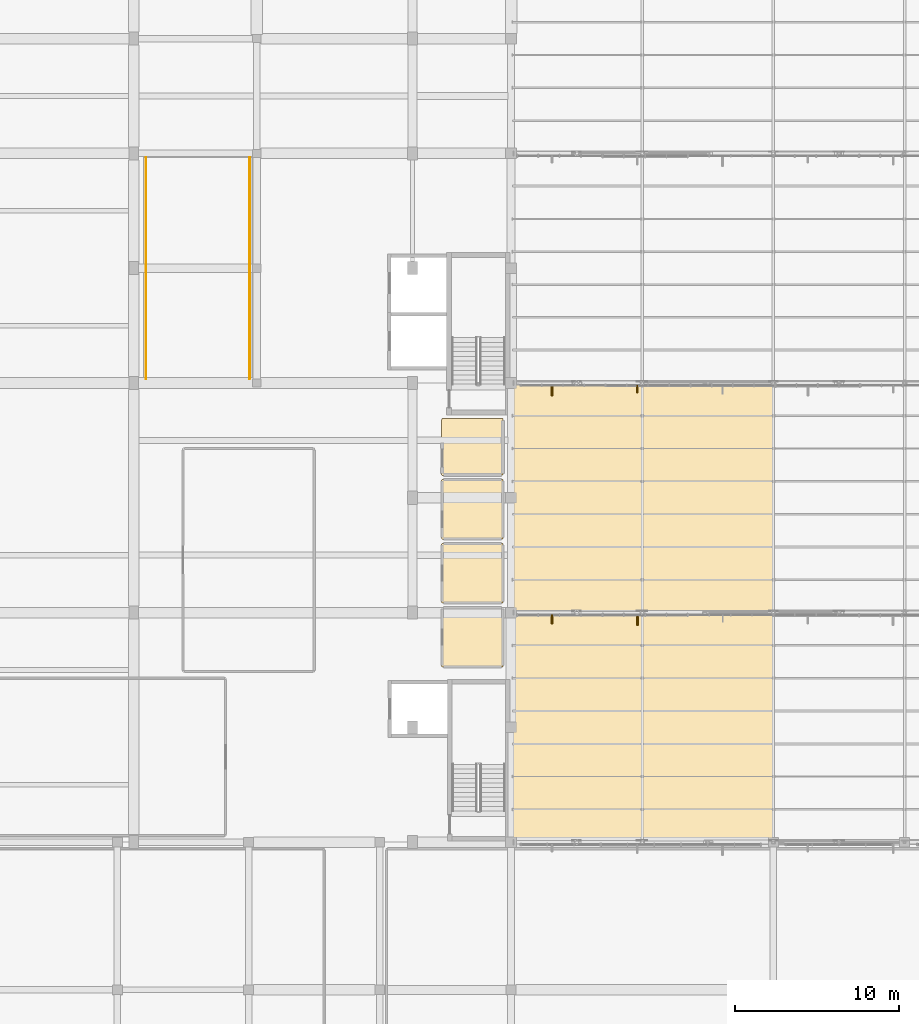
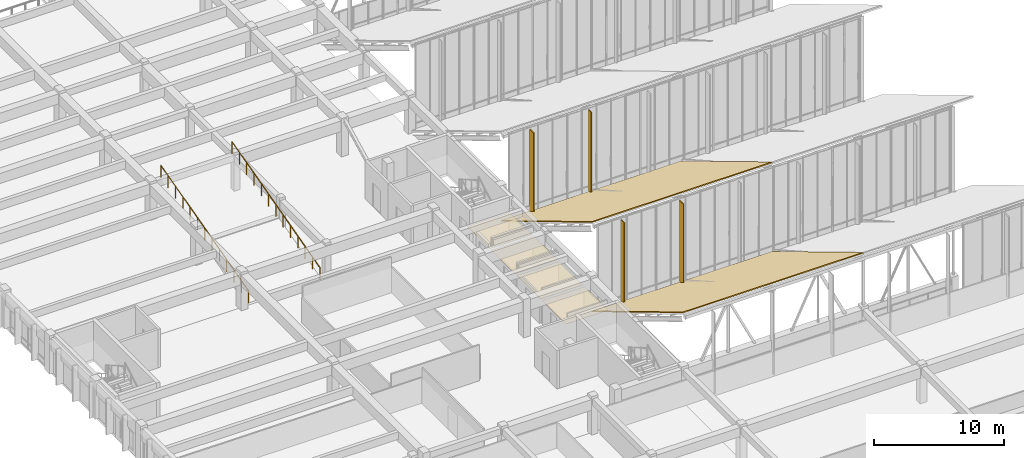
# One storey, part 149 of 155: 6 coverings, 4 shading devices, 2 railings.
"""IFC4 building model written with IfcOpenShell, lengths in metres."""

from ifc_helpers import new_model, si_unit, direction, frame, origin, origin_2d, place, context, subcontext, project, spatial, polyline, rectangle, circle, outline, extrude, material, layer, layer_set, type_object, element, save


model = new_model("IFC4")

# Units and contexts
model_context = context("Model", 3, precision=1e-05, world=origin(), true_north=direction((0.0, 1.0)))
body_context = subcontext(model_context, "Body", "Model", "MODEL_VIEW")
ifc_project = project(units=[si_unit("LENGTHUNIT", "METRE"), si_unit("AREAUNIT", "SQUARE_METRE"), si_unit("VOLUMEUNIT", "CUBIC_METRE"), si_unit("PLANEANGLEUNIT", "RADIAN"), si_unit("MASSUNIT", "GRAM", prefix="KILO")], contexts=[model_context])

# Site, building, storey
site_placement = place(None, origin())
site = spatial("IfcSite", under=ifc_project, at=site_placement, CompositionType="ELEMENT")
building_placement = place(site_placement, origin())
building = spatial("IfcBuilding", under=site, at=building_placement, Name="Larkveld Mobility Hub", CompositionType="ELEMENT")
storey_placement = place(building_placement, frame((0.0, 0.0, 8.39990234375)))
storey = spatial("IfcBuildingStorey", under=building, at=storey_placement, Name="L02", CompositionType="ELEMENT", Elevation=8.39990234375)

# Coverings
ifc_material_1 = material(Name="Standing-seam zinc-alume roofing", Category="aluminium")
ifc_layer_1 = layer(ifc_material_1, 0.080078125, Name="Standing-seam zinc-alume roofing", Category="aluminium")
ifc_layer_set_1 = layer_set([ifc_layer_1], Name="Standing-seam zinc-alume roofing")
covering_type_1 = type_object("IfcCoveringType", Name="COV-RFG-01", PredefinedType="ROOFING", material=ifc_layer_set_1)
for number, where, z_axis, x_axis, name in (
    (1, (152.0, 28.0, 8.482177734375), (0.0, 0.51450235251, 0.857488967429), (1.0, 0.0, 0.0), "Sawtooth Standing-Seam Metal Roof B1.1"),
    (2, (152.0, 42.0, 8.482177734375), (0.0, 0.51450235251, 0.857488967429), (1.0, 0.0, 0.0), "Sawtooth Standing-Seam Metal Roof B2.1"),
):
    element("IfcCovering", number, at=place(storey_placement, frame(where, z_axis=z_axis, x_axis=x_axis)), inside=storey, type_object=covering_type_1, Name=name, PredefinedType="ROOFING", context=body_context, shape_type="SweptSolid", body=[
        extrude(outline(polyline([(0.0, 0.0), (16.0, 0.0), (16.0, 16.326740671639204), (0.0, 16.326740671639204), (0.0, 0.0)])), origin(), (0.0, 0.0, -1.0), 0.080078125),
    ])
ifc_material_2 = material(Name="Perforated mineral-fibre acoustic ceiling", Category="masonry")
ifc_layer_2 = layer(ifc_material_2, 0.02001953125, Name="Perforated mineral-fibre acoustic ceiling", Category="masonry")
ifc_layer_set_2 = layer_set([ifc_layer_2], Name="Perforated mineral-fibre acoustic ceiling")
covering_type_2 = type_object("IfcCoveringType", Name="CV-CLG-020", PredefinedType="CEILING", material=ifc_layer_set_2)
covering_1_placement = place(storey_placement, frame((0.0, 0.0, 2.330078125)))
element("IfcCovering", 3, at=covering_1_placement, inside=storey, type_object=covering_type_2, Name="Male Public Toilet Acoustic Ceiling 024", PredefinedType="CEILING", context=body_context, shape_type="SweptSolid", body=[
    extrude(outline(polyline([(147.820068359375, 38.669921875), (147.81689453125, 38.669921875), (147.81396484375, 38.6708984375), (147.81103515625, 38.6708984375), (147.80908203125, 38.672119140625), (147.805908203125, 38.674072265625), (147.802978515625, 38.675048828125), (147.801025390625, 38.677001953125), (147.799072265625, 38.678955078125), (147.779052734375, 38.698974609375), (147.777099609375, 38.700927734375), (147.77490234375, 38.702880859375), (147.77392578125, 38.7060546875), (147.77197265625, 38.708984375), (147.77099609375, 38.7109375), (147.77099609375, 38.714111328125), (147.77001953125, 38.717041015625), (147.77001953125, 38.719970703125), (147.77587890625, 42.2939453125), (147.77587890625, 42.297119140625), (147.77587890625, 42.300048828125), (147.777099609375, 42.302978515625), (147.778076171875, 42.305908203125), (147.779052734375, 42.30810546875), (147.781005859375, 42.31103515625), (147.782958984375, 42.31298828125), (147.784912109375, 42.31494140625), (147.787109375, 42.31689453125), (147.7890625, 42.319091796875), (147.7919921875, 42.321044921875), (147.7939453125, 42.322021484375), (147.797119140625, 42.322998046875), (147.800048828125, 42.323974609375), (147.802978515625, 42.323974609375), (147.805908203125, 42.323974609375), (151.493896484375, 42.323974609375), (151.4970703125, 42.323974609375), (151.5, 42.323974609375), (151.5029296875, 42.322998046875), (151.506103515625, 42.322021484375), (151.508056640625, 42.321044921875), (151.510986328125, 42.319091796875), (151.512939453125, 42.31689453125), (151.514892578125, 42.31494140625), (151.51708984375, 42.31298828125), (151.51904296875, 42.31103515625), (151.52099609375, 42.30810546875), (151.52197265625, 42.305908203125), (151.52294921875, 42.302978515625), (151.52392578125, 42.300048828125), (151.52392578125, 42.297119140625), (151.52392578125, 42.2939453125), (151.52392578125, 38.7060546875), (151.52392578125, 38.702880859375), (151.52392578125, 38.699951171875), (151.52294921875, 38.697021484375), (151.52197265625, 38.694091796875), (151.52099609375, 38.69189453125), (151.51904296875, 38.68896484375), (151.51708984375, 38.68701171875), (151.514892578125, 38.68505859375), (151.512939453125, 38.68310546875), (151.510986328125, 38.680908203125), (151.508056640625, 38.678955078125), (151.506103515625, 38.677978515625), (151.5029296875, 38.677001953125), (151.5, 38.676025390625), (151.4970703125, 38.676025390625), (151.493896484375, 38.676025390625), (147.820068359375, 38.669921875)])), origin(), (0.0, 0.0, 1.0), 0.02001953125),
])
covering_2_placement = place(storey_placement, frame((0.0, 0.0, 2.330078125)))
element("IfcCovering", 4, at=covering_2_placement, inside=storey, type_object=covering_type_2, Name="Accessible Unisex Toilet Acoustic Ceiling 026", PredefinedType="CEILING", context=body_context, shape_type="SweptSolid", body=[
    extrude(outline(polyline([(147.820068359375, 46.469970703125), (147.81689453125, 46.469970703125), (147.81396484375, 46.470947265625), (147.81103515625, 46.470947265625), (147.80908203125, 46.471923828125), (147.805908203125, 46.47412109375), (147.802978515625, 46.47509765625), (147.801025390625, 46.47705078125), (147.799072265625, 46.47900390625), (147.779052734375, 46.4990234375), (147.777099609375, 46.5009765625), (147.77490234375, 46.5029296875), (147.77392578125, 46.506103515625), (147.77197265625, 46.509033203125), (147.77099609375, 46.510986328125), (147.77099609375, 46.513916015625), (147.77001953125, 46.51708984375), (147.77001953125, 46.52001953125), (147.77587890625, 50.093994140625), (147.77587890625, 50.096923828125), (147.77587890625, 50.10009765625), (147.777099609375, 50.10302734375), (147.778076171875, 50.10595703125), (147.779052734375, 50.10791015625), (147.781005859375, 50.111083984375), (147.782958984375, 50.113037109375), (147.784912109375, 50.114990234375), (147.787109375, 50.116943359375), (147.7890625, 50.118896484375), (147.7919921875, 50.12109375), (147.7939453125, 50.1220703125), (147.797119140625, 50.123046875), (147.800048828125, 50.1240234375), (147.802978515625, 50.1240234375), (147.805908203125, 50.1240234375), (151.493896484375, 50.1240234375), (151.4970703125, 50.1240234375), (151.5, 50.1240234375), (151.5029296875, 50.123046875), (151.506103515625, 50.1220703125), (151.508056640625, 50.12109375), (151.510986328125, 50.118896484375), (151.512939453125, 50.116943359375), (151.514892578125, 50.114990234375), (151.51708984375, 50.113037109375), (151.51904296875, 50.111083984375), (151.52099609375, 50.10791015625), (151.52197265625, 50.10595703125), (151.52294921875, 50.10302734375), (151.52392578125, 50.10009765625), (151.52392578125, 50.096923828125), (151.52392578125, 50.093994140625), (151.52392578125, 46.506103515625), (151.52392578125, 46.5029296875), (151.52392578125, 46.5), (151.52294921875, 46.4970703125), (151.52197265625, 46.493896484375), (151.52099609375, 46.491943359375), (151.51904296875, 46.489013671875), (151.51708984375, 46.487060546875), (151.514892578125, 46.485107421875), (151.512939453125, 46.48291015625), (151.510986328125, 46.48095703125), (151.508056640625, 46.47900390625), (151.506103515625, 46.47802734375), (151.5029296875, 46.47705078125), (151.5, 46.47607421875), (151.4970703125, 46.47607421875), (151.493896484375, 46.47607421875), (147.820068359375, 46.469970703125)])), origin(), (0.0, 0.0, 1.0), 0.02001953125),
])
ifc_material_3 = material(Name="Moisture-resistant gypsum board ceiling", Category="masonry")
ifc_layer_3 = layer(ifc_material_3, 0.02490234375, Name="Moisture-resistant gypsum board ceiling", Category="masonry")
ifc_layer_set_3 = layer_set([ifc_layer_3], Name="Moisture-resistant gypsum board ceiling")
covering_type_3 = type_object("IfcCoveringType", Name="CV-CLG-025", PredefinedType="CEILING", material=ifc_layer_set_3)
covering_3_placement = place(storey_placement, frame((0.0, 0.0, 2.3251953125)))
element("IfcCovering", 5, at=covering_3_placement, inside=storey, type_object=covering_type_3, Name="Female Public Toilet Acoustic Ceiling 025", PredefinedType="CEILING", context=body_context, shape_type="SweptSolid", body=[
    extrude(outline(polyline([(147.820068359375, 42.570068359375), (147.81689453125, 42.570068359375), (147.81396484375, 42.571044921875), (147.81103515625, 42.571044921875), (147.80908203125, 42.572021484375), (147.805908203125, 42.573974609375), (147.802978515625, 42.574951171875), (147.801025390625, 42.576904296875), (147.799072265625, 42.5791015625), (147.779052734375, 42.59912109375), (147.777099609375, 42.60107421875), (147.77490234375, 42.60302734375), (147.77392578125, 42.60595703125), (147.77197265625, 42.60888671875), (147.77099609375, 42.611083984375), (147.77099609375, 42.614013671875), (147.77001953125, 42.616943359375), (147.77001953125, 42.6201171875), (147.77587890625, 46.194091796875), (147.77587890625, 46.197021484375), (147.77587890625, 46.199951171875), (147.777099609375, 46.202880859375), (147.778076171875, 46.2060546875), (147.779052734375, 46.2080078125), (147.781005859375, 46.2109375), (147.782958984375, 46.212890625), (147.784912109375, 46.215087890625), (147.787109375, 46.217041015625), (147.7890625, 46.218994140625), (147.7919921875, 46.220947265625), (147.7939453125, 46.221923828125), (147.797119140625, 46.222900390625), (147.800048828125, 46.22412109375), (147.802978515625, 46.22412109375), (147.805908203125, 46.22412109375), (151.493896484375, 46.22412109375), (151.4970703125, 46.22412109375), (151.5, 46.22412109375), (151.5029296875, 46.222900390625), (151.506103515625, 46.221923828125), (151.508056640625, 46.220947265625), (151.510986328125, 46.218994140625), (151.512939453125, 46.217041015625), (151.514892578125, 46.215087890625), (151.51708984375, 46.212890625), (151.51904296875, 46.2109375), (151.52099609375, 46.2080078125), (151.52197265625, 46.2060546875), (151.52294921875, 46.202880859375), (151.52392578125, 46.199951171875), (151.52392578125, 46.197021484375), (151.52392578125, 46.194091796875), (151.52392578125, 42.60595703125), (151.52392578125, 42.60302734375), (151.52392578125, 42.60009765625), (151.52294921875, 42.596923828125), (151.52197265625, 42.593994140625), (151.52099609375, 42.592041015625), (151.51904296875, 42.589111328125), (151.51708984375, 42.5869140625), (151.514892578125, 42.5849609375), (151.512939453125, 42.5830078125), (151.510986328125, 42.5810546875), (151.508056640625, 42.5791015625), (151.506103515625, 42.577880859375), (151.5029296875, 42.576904296875), (151.5, 42.575927734375), (151.4970703125, 42.575927734375), (151.493896484375, 42.575927734375), (147.820068359375, 42.570068359375)])), origin(), (0.0, 0.0, 1.0), 0.02490234375),
])
covering_4_placement = place(storey_placement, frame((0.0, 0.0, 2.3251953125)))
element("IfcCovering", 6, at=covering_4_placement, inside=storey, type_object=covering_type_3, Name="Cleaners Store Room Acoustic Ceiling 027", PredefinedType="CEILING", context=body_context, shape_type="SweptSolid", body=[
    extrude(outline(polyline([(147.820068359375, 50.3701171875), (147.81689453125, 50.3701171875), (147.81396484375, 50.37109375), (147.81103515625, 50.37109375), (147.80908203125, 50.3720703125), (147.805908203125, 50.3740234375), (147.802978515625, 50.375), (147.801025390625, 50.376953125), (147.799072265625, 50.37890625), (147.779052734375, 50.39892578125), (147.777099609375, 50.40087890625), (147.77490234375, 50.403076171875), (147.77392578125, 50.406005859375), (147.77197265625, 50.408935546875), (147.77099609375, 50.410888671875), (147.77099609375, 50.4140625), (147.77001953125, 50.4169921875), (147.77001953125, 50.419921875), (147.77587890625, 53.7939453125), (147.77587890625, 53.797119140625), (147.77587890625, 53.800048828125), (147.777099609375, 53.802978515625), (147.778076171875, 53.805908203125), (147.779052734375, 53.80810546875), (147.781005859375, 53.81103515625), (147.782958984375, 53.81298828125), (147.784912109375, 53.81494140625), (147.787109375, 53.81689453125), (147.7890625, 53.819091796875), (147.7919921875, 53.821044921875), (147.7939453125, 53.822021484375), (147.797119140625, 53.822998046875), (147.800048828125, 53.823974609375), (147.802978515625, 53.823974609375), (147.805908203125, 53.823974609375), (151.493896484375, 53.823974609375), (151.4970703125, 53.823974609375), (151.5, 53.823974609375), (151.5029296875, 53.822998046875), (151.506103515625, 53.822021484375), (151.508056640625, 53.821044921875), (151.510986328125, 53.819091796875), (151.512939453125, 53.81689453125), (151.514892578125, 53.81494140625), (151.51708984375, 53.81298828125), (151.51904296875, 53.81103515625), (151.52099609375, 53.80810546875), (151.52197265625, 53.805908203125), (151.52294921875, 53.802978515625), (151.52392578125, 53.800048828125), (151.52392578125, 53.797119140625), (151.52392578125, 53.7939453125), (151.52392578125, 50.406005859375), (151.52392578125, 50.403076171875), (151.52392578125, 50.39990234375), (151.52294921875, 50.39697265625), (151.52197265625, 50.39404296875), (151.52099609375, 50.39208984375), (151.51904296875, 50.388916015625), (151.51708984375, 50.386962890625), (151.514892578125, 50.385009765625), (151.512939453125, 50.383056640625), (151.510986328125, 50.381103515625), (151.508056640625, 50.37890625), (151.506103515625, 50.3779296875), (151.5029296875, 50.376953125), (151.5, 50.3759765625), (151.4970703125, 50.3759765625), (151.493896484375, 50.3759765625), (147.820068359375, 50.3701171875)])), origin(), (0.0, 0.0, 1.0), 0.02490234375),
])

# Railings
ifc_material_4 = material(Name="Galvanized Steel S355JR vehicle-deck guard", Category="steel")
railing_type = type_object("IfcRailingType", Name="RL-GRD-RMP", PredefinedType="GUARDRAIL", material=ifc_material_4)
railing_1_placement = place(storey_placement, frame((129.739990234375, 56.25, 0.0)))
element("IfcRailing", 7, at=railing_1_placement, inside=storey, type_object=railing_type, Name="EV Ramp West Sloped Guard L02-031", PredefinedType="GUARDRAIL", context=body_context, shape_type="SweptSolid", body=[
    extrude(circle(Radius=0.02392578125, at=origin_2d()), frame((0.0, 0.0, 1.1259765625), z_axis=(0.0, 0.966233199446, 0.257669176053), x_axis=(-1.0, 0.0, 0.0)), (0.0, 0.0, 1.0), 13.9716796875),
    extrude(circle(Radius=0.02099609375, at=origin_2d()), origin(), (0.0, 0.0, 1.0), 1.101806640625),
    extrude(circle(Radius=0.02099609375, at=origin_2d()), frame((0.0, 1.125, 0.300048828125)), (0.0, 0.0, 1.0), 1.101806640625),
    extrude(circle(Radius=0.02099609375, at=origin_2d()), frame((0.0, 2.25, 0.60009765625)), (0.0, 0.0, 1.0), 1.101806640625),
    extrude(circle(Radius=0.02099609375, at=origin_2d()), frame((0.0, 3.375, 0.89990234375)), (0.0, 0.0, 1.0), 1.101806640625),
    extrude(circle(Radius=0.02099609375, at=origin_2d()), frame((0.0, 4.5, 1.199951171875)), (0.0, 0.0, 1.0), 1.101806640625),
    extrude(circle(Radius=0.02099609375, at=origin_2d()), frame((0.0, 5.625, 1.5)), (0.0, 0.0, 1.0), 1.101806640625),
    extrude(circle(Radius=0.02099609375, at=origin_2d()), frame((0.0, 6.75, 1.800048828125)), (0.0, 0.0, 1.0), 1.101806640625),
    extrude(circle(Radius=0.02099609375, at=origin_2d()), frame((0.0, 7.875, 2.10009765625)), (0.0, 0.0, 1.0), 1.101806640625),
    extrude(circle(Radius=0.02099609375, at=origin_2d()), frame((0.0, 9.0, 2.400146484375)), (0.0, 0.0, 1.0), 1.101806640625),
    extrude(circle(Radius=0.02099609375, at=origin_2d()), frame((0.0, 10.125, 2.7001953125)), (0.0, 0.0, 1.0), 1.101806640625),
    extrude(circle(Radius=0.02099609375, at=origin_2d()), frame((0.0, 11.25, 3.0)), (0.0, 0.0, 1.0), 1.101806640625),
    extrude(circle(Radius=0.02099609375, at=origin_2d()), frame((0.0, 12.375, 3.300048828125)), (0.0, 0.0, 1.0), 1.101806640625),
    extrude(circle(Radius=0.02099609375, at=origin_2d()), frame((0.0, 13.5, 3.60009765625)), (0.0, 0.0, 1.0), 1.101806640625),
])
railing_2_placement = place(storey_placement, frame((136.06005859375, 56.25, 0.0)))
element("IfcRailing", 8, at=railing_2_placement, inside=storey, type_object=railing_type, Name="EV Ramp East Sloped Guard L02-032", PredefinedType="GUARDRAIL", context=body_context, shape_type="SweptSolid", body=[
    extrude(circle(Radius=0.02392578125, at=origin_2d()), frame((0.0, 0.0, 1.1259765625), z_axis=(0.0, 0.966233199446, 0.257669176053), x_axis=(-1.0, 0.0, 0.0)), (0.0, 0.0, 1.0), 13.9716796875),
    extrude(circle(Radius=0.02099609375, at=origin_2d()), origin(), (0.0, 0.0, 1.0), 1.101806640625),
    extrude(circle(Radius=0.02099609375, at=origin_2d()), frame((0.0, 1.125, 0.300048828125)), (0.0, 0.0, 1.0), 1.101806640625),
    extrude(circle(Radius=0.02099609375, at=origin_2d()), frame((0.0, 2.25, 0.60009765625)), (0.0, 0.0, 1.0), 1.101806640625),
    extrude(circle(Radius=0.02099609375, at=origin_2d()), frame((0.0, 3.375, 0.89990234375)), (0.0, 0.0, 1.0), 1.101806640625),
    extrude(circle(Radius=0.02099609375, at=origin_2d()), frame((0.0, 4.5, 1.199951171875)), (0.0, 0.0, 1.0), 1.101806640625),
    extrude(circle(Radius=0.02099609375, at=origin_2d()), frame((0.0, 5.625, 1.5)), (0.0, 0.0, 1.0), 1.101806640625),
    extrude(circle(Radius=0.02099609375, at=origin_2d()), frame((0.0, 6.75, 1.800048828125)), (0.0, 0.0, 1.0), 1.101806640625),
    extrude(circle(Radius=0.02099609375, at=origin_2d()), frame((0.0, 7.875, 2.10009765625)), (0.0, 0.0, 1.0), 1.101806640625),
    extrude(circle(Radius=0.02099609375, at=origin_2d()), frame((0.0, 9.0, 2.400146484375)), (0.0, 0.0, 1.0), 1.101806640625),
    extrude(circle(Radius=0.02099609375, at=origin_2d()), frame((0.0, 10.125, 2.7001953125)), (0.0, 0.0, 1.0), 1.101806640625),
    extrude(circle(Radius=0.02099609375, at=origin_2d()), frame((0.0, 11.25, 3.0)), (0.0, 0.0, 1.0), 1.101806640625),
    extrude(circle(Radius=0.02099609375, at=origin_2d()), frame((0.0, 12.375, 3.300048828125)), (0.0, 0.0, 1.0), 1.101806640625),
    extrude(circle(Radius=0.02099609375, at=origin_2d()), frame((0.0, 13.5, 3.60009765625)), (0.0, 0.0, 1.0), 1.101806640625),
])

# Shading devices
ifc_material_5 = material(Name="Precast concrete C50/60", Category="concrete")
ifc_layer_4 = layer(ifc_material_5, 0.06494140625, Name="Precast concrete C50/60", Category="concrete")
ifc_layer_set_4 = layer_set([ifc_layer_4], Name="Precast concrete C50/60")
shading_device_type_1 = type_object("IfcShadingDeviceType", Name="SHD-JAL-01", PredefinedType="JALOUSIE", material=ifc_layer_set_4)
shading_device_1_placement = place(storey_placement, frame((159.699951171875, 55.639892578125, 0.300048828125), z_axis=(0.0, 0.0, 1.0), x_axis=(1.0, 0.0, 0.0)))
element("IfcShadingDevice", 9, at=shading_device_1_placement, inside=storey, type_object=shading_device_type_1, Name="Sawtooth South-Light Brise-Soleil Fin SF-014", PredefinedType="JALOUSIE", context=body_context, shape_type="SweptSolid", body=[
    extrude(rectangle(XDim=0.06494140625, YDim=0.449951171875, at=origin_2d()), origin(), (0.0, 0.0, 1.0), 7.60009765625),
])
ifc_layer_5 = layer(ifc_material_5, 0.074951171875, Name="Precast concrete C50/60", Category="concrete")
ifc_layer_set_5 = layer_set([ifc_layer_5], Name="Precast concrete C50/60")
shading_device_type_2 = type_object("IfcShadingDeviceType", Name="SHD-JAL-02", PredefinedType="JALOUSIE", material=ifc_layer_set_5)
shading_device_2_placement = place(storey_placement, frame((154.5, 41.590087890625, 0.300048828125), z_axis=(0.0, 0.0, 1.0), x_axis=(1.0, 0.0, 0.0)))
element("IfcShadingDevice", 10, at=shading_device_2_placement, inside=storey, type_object=shading_device_type_2, Name="Sawtooth South-Light Brise-Soleil Fin SF-007", PredefinedType="JALOUSIE", context=body_context, shape_type="SweptSolid", body=[
    extrude(rectangle(XDim=0.074951171875, YDim=0.550048828125, at=origin_2d()), origin(), (0.0, 0.0, 1.0), 7.60009765625),
])
ifc_layer_6 = layer(ifc_material_5, 0.0849609375, Name="Precast concrete C50/60", Category="concrete")
ifc_layer_set_6 = layer_set([ifc_layer_6], Name="Precast concrete C50/60")
shading_device_type_3 = type_object("IfcShadingDeviceType", Name="SHD-JAL-03", PredefinedType="JALOUSIE", material=ifc_layer_set_6)
for number, where, z_axis, x_axis, name in (
    (11, (159.699951171875, 41.5400390625, 0.300048828125), (0.0, 0.0, 1.0), (1.0, 0.0, 0.0), "Sawtooth South-Light Brise-Soleil Fin SF-008"),
    (12, (154.5, 55.5400390625, 0.300048828125), (0.0, 0.0, 1.0), (1.0, 0.0, 0.0), "Sawtooth South-Light Brise-Soleil Fin SF-013"),
):
    element("IfcShadingDevice", number, at=place(storey_placement, frame(where, z_axis=z_axis, x_axis=x_axis)), inside=storey, type_object=shading_device_type_3, Name=name, PredefinedType="JALOUSIE", context=body_context, shape_type="SweptSolid", body=[
        extrude(rectangle(XDim=0.0849609375, YDim=0.64990234375, at=origin_2d()), origin(), (0.0, 0.0, 1.0), 7.60009765625),
    ])

save(model, "model.ifc")
